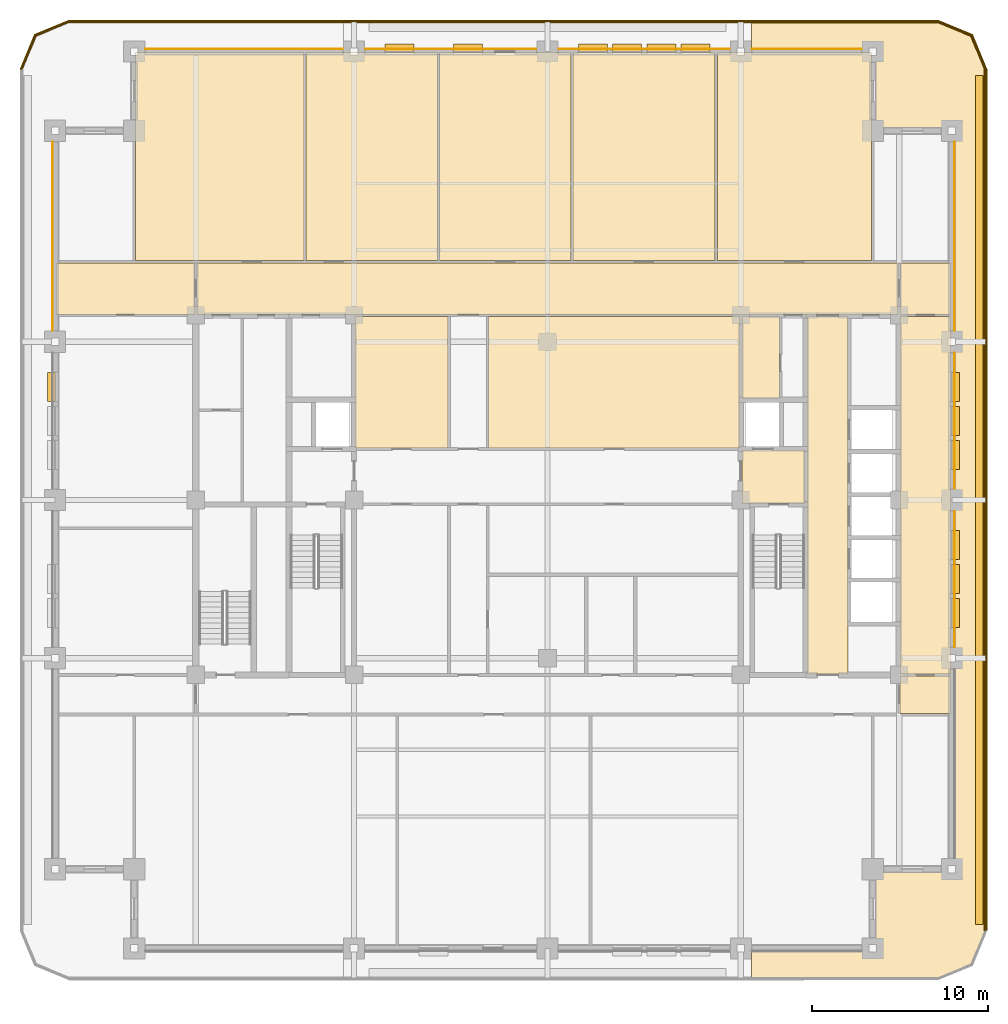
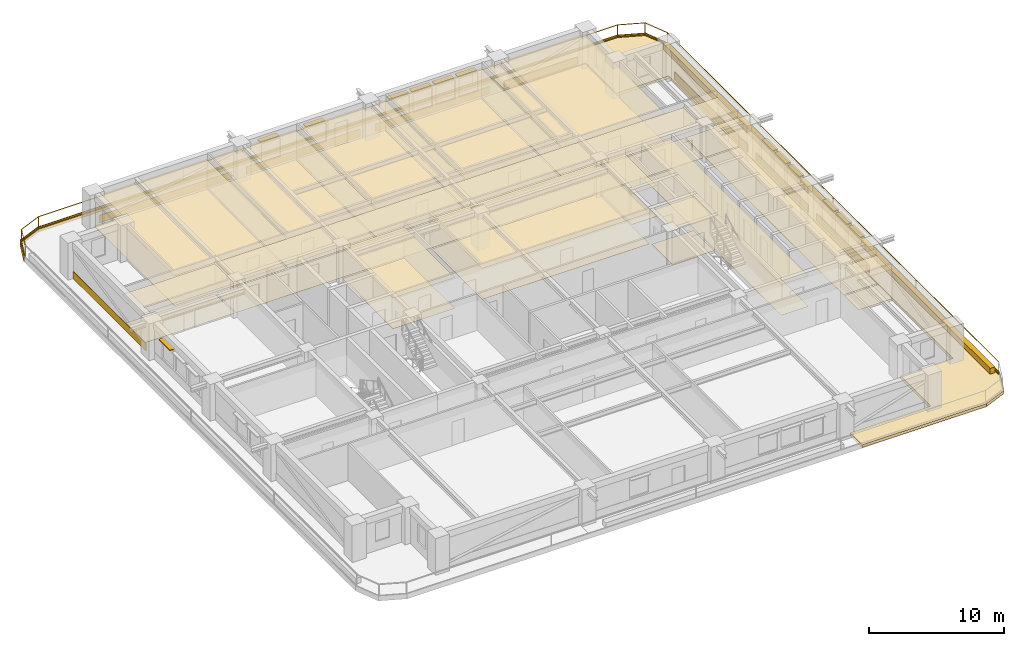
# One storey, part 15 of 15: 46 coverings, 13 shading devices, 2 railings.
"""IFC4 building model written with IfcOpenShell, lengths in metres."""

from ifc_helpers import new_model, si_unit, direction, frame, frame_2d, origin, origin_2d, place, context, subcontext, project, spatial, polyline, rectangle, outline, extrude, material, layer, layer_set, type_object, element, save


model = new_model("IFC4")

# Units and contexts
model_context = context("Model", 3, precision=1e-05, world=origin(), true_north=direction((0.0, 1.0)))
body_context = subcontext(model_context, "Body", "Model", "MODEL_VIEW")
ifc_project = project(units=[si_unit("LENGTHUNIT", "METRE"), si_unit("AREAUNIT", "SQUARE_METRE"), si_unit("VOLUMEUNIT", "CUBIC_METRE"), si_unit("PLANEANGLEUNIT", "RADIAN"), si_unit("MASSUNIT", "GRAM", prefix="KILO")], contexts=[model_context])

# Site, building, storey
site_placement = place(None, origin())
site = spatial("IfcSite", under=ifc_project, at=site_placement, CompositionType="ELEMENT")
building_placement = place(site_placement, origin())
building = spatial("IfcBuilding", under=site, at=building_placement, Name="Zulmaris Gate Convention Tower", CompositionType="ELEMENT")
storey_placement = place(building_placement, frame((0.0, 0.0, 128.48974609375)))
storey = spatial("IfcBuildingStorey", under=building, at=storey_placement, Name="L32", CompositionType="ELEMENT", Elevation=128.48974609375)

# Coverings
ifc_material_1 = material(Name="Precast concrete C40/50", Category="concrete")
ifc_layer_1 = layer(ifc_material_1, 0.0400390625, Name="Precast concrete C40/50")
ifc_layer_set_1 = layer_set([ifc_layer_1], Name="Precast concrete C40/50")
covering_type_1 = type_object("IfcCoveringType", Name="CLAD-SPANDREL-PRECAST", PredefinedType="CLADDING", material=ifc_layer_set_1)
covering_1_placement = place(storey_placement, frame((-11.6298828125, 25.64990234375, 0.0), z_axis=(0.0, 0.0, 1.0), x_axis=(-1.0, 0.0, 0.0)))
element("IfcCovering", 1, at=covering_1_placement, inside=storey, type_object=covering_type_1, Name="CLD-L32-N-0_0", PredefinedType="CLADDING", context=body_context, shape_type="SweptSolid", body=[
    extrude(rectangle(XDim=11.240234375, YDim=0.0400390625, at=frame_2d((5.6201171875, 0.0))), origin(), (0.0, 0.0, 1.0), 0.679931640625),
])
for number, where, z_axis, x_axis, name in (
    (2, (-0.6298828125, 25.64990234375, 0.0), (0.0, 0.0, 1.0), (-1.0, 0.0, 0.0), "CLD-L32-N-1_0"),
    (3, (10.3701171875, 25.64990234375, 0.0), (0.0, 0.0, 1.0), (-1.0, 0.0, 0.0), "CLD-L32-N-2_0"),
):
    element("IfcCovering", number, at=place(storey_placement, frame(where, z_axis=z_axis, x_axis=x_axis)), inside=storey, type_object=covering_type_1, Name=name, PredefinedType="CLADDING", context=body_context, shape_type="SweptSolid", body=[
        extrude(rectangle(XDim=9.740234375, YDim=0.0400390625, at=frame_2d((4.8701171875, 0.0))), origin(), (0.0, 0.0, 1.0), 0.679931640625),
    ])
covering_2_placement = place(storey_placement, frame((17.8701171875, 25.64990234375, 0.0), z_axis=(0.0, 0.0, 1.0), x_axis=(-1.0, 0.0, 0.0)))
element("IfcCovering", 4, at=covering_2_placement, inside=storey, type_object=covering_type_1, Name="CLD-L32-N-3_0", PredefinedType="CLADDING", context=body_context, shape_type="SweptSolid", body=[
    extrude(rectangle(XDim=6.240234375, YDim=0.0400390625, at=frame_2d((3.1201171875, 0.0))), origin(), (0.0, 0.0, 1.0), 0.679931640625),
])
for number, where, z_axis, x_axis, name in (
    (5, (23.14990234375, -8.3701171875, 0.0), (0.0, 0.0, 1.0), (0.0, 1.0, 0.0), "CLD-L32-E-1_0"),
    (6, (23.14990234375, 0.6298828125, 0.0), (0.0, 0.0, 1.0), (0.0, 1.0, 0.0), "CLD-L32-E-2_0"),
):
    element("IfcCovering", number, at=place(storey_placement, frame(where, z_axis=z_axis, x_axis=x_axis)), inside=storey, type_object=covering_type_1, Name=name, PredefinedType="CLADDING", context=body_context, shape_type="SweptSolid", body=[
        extrude(rectangle(XDim=7.740234375, YDim=0.0400390625, at=frame_2d((3.8701171875, 0.0))), origin(), (0.0, 0.0, 1.0), 0.679931640625),
    ])
for number, where, z_axis, x_axis, name in (
    (7, (23.14990234375, 9.6298828125, 0.0), (0.0, 0.0, 1.0), (0.0, 1.0, 0.0), "CLD-L32-E-3_0"),
    (8, (-28.14990234375, 20.3701171875, 0.0), (0.0, 0.0, 1.0), (0.0, -1.0, 0.0), "CLD-L32-W-3_0"),
):
    element("IfcCovering", number, at=place(storey_placement, frame(where, z_axis=z_axis, x_axis=x_axis)), inside=storey, type_object=covering_type_1, Name=name, PredefinedType="CLADDING", context=body_context, shape_type="SweptSolid", body=[
        extrude(rectangle(XDim=10.740234375, YDim=0.0400390625, at=frame_2d((5.3701171875, 0.0))), origin(), (0.0, 0.0, 1.0), 0.679931640625),
    ])
ifc_material_2 = material(Name="White Glazed Architectural Precast Concrete C40/50", Category="concrete")
ifc_layer_2 = layer(ifc_material_2, 0.239990234375, Name="White Glazed Architectural Precast Concrete C40/50")
ifc_layer_set_2 = layer_set([ifc_layer_2], Name="White Glazed Architectural Precast Concrete C40/50")
covering_type_2 = type_object("IfcCoveringType", Name="CLAD-TRAY-DECK", PredefinedType="CLADDING", material=ifc_layer_set_2)
covering_3_placement = place(storey_placement, frame((0.0, 0.0, -0.25)))
element("IfcCovering", 9, at=covering_3_placement, inside=storey, type_object=covering_type_2, Name="L32 East Rounded-Fascia Planter Tray Deck", PredefinedType="CLADDING", context=body_context, shape_type="SweptSolid", body=[
    extrude(outline(polyline([(22.199951171875, 27.300048828125), (24.179931640625, 26.47998046875), (25.0, 24.5), (25.0, -24.5), (24.179931640625, -26.47998046875), (22.199951171875, -27.300048828125), (11.60205078125, -27.300048828125), (11.60205078125, -25.5), (18.5, -25.5), (18.5, -21.0), (23.0, -21.0), (23.0, 21.0), (18.5, 21.0), (18.5, 25.5), (11.60205078125, 25.5), (11.60205078125, 27.300048828125), (22.199951171875, 27.300048828125)])), origin(), (0.0, 0.0, 1.0), 0.260009765625),
])
ifc_layer_3 = layer(ifc_material_2, 0.080078125, Name="White Glazed Architectural Precast Concrete C40/50")
ifc_layer_set_3 = layer_set([ifc_layer_3], Name="White Glazed Architectural Precast Concrete C40/50")
covering_type_3 = type_object("IfcCoveringType", Name="CLAD-TRAY-FASCIA", PredefinedType="CLADDING", material=ifc_layer_set_3)
covering_4_placement = place(storey_placement, frame((24.9599609375, -24.5, -0.2900390625), z_axis=(0.0, 0.0, 1.0), x_axis=(0.0, 1.0, 0.0)))
element("IfcCovering", 10, at=covering_4_placement, inside=storey, type_object=covering_type_3, Name="FSC-L32-TR-05", PredefinedType="CLADDING", context=body_context, shape_type="SweptSolid", body=[
    extrude(rectangle(XDim=49.0, YDim=0.080078125, at=frame_2d((24.5, 0.0))), origin(), (0.0, 0.0, 1.0), 0.4599609375),
])
covering_5_placement = place(storey_placement, frame((24.962890625, 24.484619140625, -0.2900390625), z_axis=(0.0, 0.0, 1.0), x_axis=(-0.382656984709, 0.923890487046, 0.0)))
element("IfcCovering", 11, at=covering_5_placement, inside=storey, type_object=covering_type_3, Name="FSC-L32-TR-06", PredefinedType="CLADDING", context=body_context, shape_type="SweptSolid", body=[
    extrude(rectangle(XDim=2.14306640625, YDim=0.080078125, at=frame_2d((1.071533203125, 0.0))), origin(), (0.0, 0.0, 1.0), 0.4599609375),
])
covering_6_placement = place(storey_placement, frame((24.16455078125, 26.44287109375, -0.2900390625), z_axis=(0.0, 0.0, 1.0), x_axis=(-0.923873803533, 0.382697263049, 0.0)))
element("IfcCovering", 12, at=covering_6_placement, inside=storey, type_object=covering_type_3, Name="FSC-L32-TR-07", PredefinedType="CLADDING", context=body_context, shape_type="SweptSolid", body=[
    extrude(rectangle(XDim=2.142822265625, YDim=0.080078125, at=frame_2d((1.0712890625, 0.0))), origin(), (0.0, 0.0, 1.0), 0.4599609375),
])
covering_7_placement = place(storey_placement, frame((22.199951171875, 27.260009765625, -0.2900390625), z_axis=(0.0, 0.0, 1.0), x_axis=(-1.0, 0.0, 0.0)))
element("IfcCovering", 13, at=covering_7_placement, inside=storey, type_object=covering_type_3, Name="FSC-L32-TR-08", PredefinedType="CLADDING", context=body_context, shape_type="SweptSolid", body=[
    extrude(rectangle(XDim=49.39990234375, YDim=0.080078125, at=frame_2d((24.699951171875, 0.0))), origin(), (0.0, 0.0, 1.0), 0.4599609375),
])
covering_8_placement = place(storey_placement, frame((-27.184814453125, 27.262939453125, -0.2900390625), z_axis=(0.0, 0.0, 1.0), x_axis=(-0.923873803533, -0.382697263049, 0.0)))
element("IfcCovering", 14, at=covering_8_placement, inside=storey, type_object=covering_type_3, Name="FSC-L32-TR-09", PredefinedType="CLADDING", context=body_context, shape_type="SweptSolid", body=[
    extrude(rectangle(XDim=2.142822265625, YDim=0.080078125, at=frame_2d((1.0712890625, 0.0))), origin(), (0.0, 0.0, 1.0), 0.4599609375),
])
covering_9_placement = place(storey_placement, frame((-29.142822265625, 26.464599609375, -0.2900390625), z_axis=(0.0, 0.0, 1.0), x_axis=(-0.382656984709, -0.923890487046, 0.0)))
element("IfcCovering", 15, at=covering_9_placement, inside=storey, type_object=covering_type_3, Name="FSC-L32-TR-10", PredefinedType="CLADDING", context=body_context, shape_type="SweptSolid", body=[
    extrude(rectangle(XDim=2.14306640625, YDim=0.080078125, at=frame_2d((1.071533203125, 0.0))), origin(), (0.0, 0.0, 1.0), 0.4599609375),
])
ifc_material_3 = material(Name="Mineral Fibre Acoustic Ceiling Tile")
ifc_layer_4 = layer(ifc_material_3, 0.02001953125, Name="Mineral Fibre Acoustic Ceiling Tile")
ifc_layer_set_4 = layer_set([ifc_layer_4], Name="Mineral Fibre Acoustic Ceiling Tile")
covering_type_4 = type_object("IfcCoveringType", Name="CLG-ACOUSTIC-600", PredefinedType="CEILING", material=ifc_layer_set_4)
covering_10_placement = place(storey_placement, frame((0.0, 0.0, 3.0400390625)))
element("IfcCovering", 16, at=covering_10_placement, inside=storey, type_object=covering_type_4, Name="CLG-L32-R08", PredefinedType="CEILING", context=body_context, shape_type="SweptSolid", body=[
    extrude(outline(polyline([(11.06005859375, -0.18994140625), (14.639892578125, -0.18994140625), (14.639892578125, 2.840087890625), (11.06005859375, 2.840087890625), (11.06005859375, -0.18994140625)])), origin(), (0.0, 0.0, 1.0), 0.02001953125),
])
covering_11_placement = place(storey_placement, frame((0.0, 0.0, 2.778076171875)))
element("IfcCovering", 17, at=covering_11_placement, inside=storey, type_object=covering_type_4, Name="CLG-L32-R12", PredefinedType="CEILING", context=body_context, shape_type="SweptSolid", body=[
    extrude(outline(polyline([(11.06005859375, 5.760009765625), (13.18994140625, 5.760009765625), (13.18994140625, 10.43994140625), (11.06005859375, 10.43994140625), (11.06005859375, 5.760009765625)])), origin(), (0.0, 0.0, 1.0), 0.02001953125),
])
covering_12_placement = place(storey_placement, frame((0.0, 0.0, 2.778076171875)))
element("IfcCovering", 18, at=covering_12_placement, inside=storey, type_object=covering_type_4, Name="CLG-L32-R24", PredefinedType="CEILING", context=body_context, shape_type="SweptSolid", body=[
    extrude(outline(polyline([(14.760009765625, -9.889892578125), (17.090087890625, -9.889892578125), (17.090087890625, 10.43994140625), (14.760009765625, 10.43994140625), (14.760009765625, -9.889892578125)])), origin(), (0.0, 0.0, 1.0), 0.02001953125),
])
covering_13_placement = place(storey_placement, frame((0.0, 0.0, 2.778076171875)))
element("IfcCovering", 19, at=covering_13_placement, inside=storey, type_object=covering_type_4, Name="CLG-L32-R28", PredefinedType="CEILING", context=body_context, shape_type="SweptSolid", body=[
    extrude(outline(polyline([(-19.93994140625, 10.56005859375), (19.93994140625, 10.56005859375), (19.93994140625, 13.489990234375), (-19.93994140625, 13.489990234375), (-19.93994140625, 10.56005859375)])), origin(), (0.0, 0.0, 1.0), 0.02001953125),
])
covering_14_placement = place(storey_placement, frame((0.0, 0.0, 2.68017578125)))
element("IfcCovering", 20, at=covering_14_placement, inside=storey, type_object=covering_type_4, Name="CLG-L32-R33", PredefinedType="CEILING", context=body_context, shape_type="SweptSolid", body=[
    extrude(outline(polyline([(-23.43994140625, 13.610107421875), (-13.860107421875, 13.610107421875), (-13.860107421875, 25.43994140625), (-23.43994140625, 25.43994140625), (-23.43994140625, 13.610107421875)])), origin(), (0.0, 0.0, 1.0), 0.019775390625),
])
covering_15_placement = place(storey_placement, frame((0.0, 0.0, 2.68017578125)))
element("IfcCovering", 21, at=covering_15_placement, inside=storey, type_object=covering_type_4, Name="CLG-L32-R34", PredefinedType="CEILING", context=body_context, shape_type="SweptSolid", body=[
    extrude(outline(polyline([(-13.739990234375, 13.610107421875), (-6.260009765625, 13.610107421875), (-6.260009765625, 25.43994140625), (-13.739990234375, 25.43994140625), (-13.739990234375, 13.610107421875)])), origin(), (0.0, 0.0, 1.0), 0.019775390625),
])
covering_16_placement = place(storey_placement, frame((0.0, 0.0, 2.68017578125)))
element("IfcCovering", 22, at=covering_16_placement, inside=storey, type_object=covering_type_4, Name="CLG-L32-R35", PredefinedType="CEILING", context=body_context, shape_type="SweptSolid", body=[
    extrude(outline(polyline([(-6.139892578125, 13.610107421875), (1.340087890625, 13.610107421875), (1.340087890625, 25.43994140625), (-6.139892578125, 25.43994140625), (-6.139892578125, 13.610107421875)])), origin(), (0.0, 0.0, 1.0), 0.019775390625),
])
covering_17_placement = place(storey_placement, frame((0.0, 0.0, 2.68017578125)))
element("IfcCovering", 23, at=covering_17_placement, inside=storey, type_object=covering_type_4, Name="CLG-L32-R36", PredefinedType="CEILING", context=body_context, shape_type="SweptSolid", body=[
    extrude(outline(polyline([(1.4599609375, 13.610107421875), (9.5400390625, 13.610107421875), (9.5400390625, 25.43994140625), (1.4599609375, 25.43994140625), (1.4599609375, 13.610107421875)])), origin(), (0.0, 0.0, 1.0), 0.019775390625),
])
covering_18_placement = place(storey_placement, frame((0.0, 0.0, 2.68017578125)))
element("IfcCovering", 24, at=covering_18_placement, inside=storey, type_object=covering_type_4, Name="CLG-L32-R37", PredefinedType="CEILING", context=body_context, shape_type="SweptSolid", body=[
    extrude(outline(polyline([(9.659912109375, 13.610107421875), (18.43994140625, 13.610107421875), (18.43994140625, 25.43994140625), (9.659912109375, 25.43994140625), (9.659912109375, 13.610107421875)])), origin(), (0.0, 0.0, 1.0), 0.019775390625),
])
covering_19_placement = place(storey_placement, frame((0.0, 0.0, 2.778076171875)))
element("IfcCovering", 25, at=covering_19_placement, inside=storey, type_object=covering_type_4, Name="CLG-L32-R41", PredefinedType="CEILING", context=body_context, shape_type="SweptSolid", body=[
    extrude(outline(polyline([(-10.93994140625, 2.9599609375), (-5.659912109375, 2.9599609375), (-5.659912109375, 10.43994140625), (-10.93994140625, 10.43994140625), (-10.93994140625, 2.9599609375)])), origin(), (0.0, 0.0, 1.0), 0.02001953125),
])
covering_20_placement = place(storey_placement, frame((0.0, 0.0, 2.778076171875)))
element("IfcCovering", 26, at=covering_20_placement, inside=storey, type_object=covering_type_4, Name="CLG-L32-R42", PredefinedType="CEILING", context=body_context, shape_type="SweptSolid", body=[
    extrude(outline(polyline([(-3.340087890625, 2.9599609375), (10.93994140625, 2.9599609375), (10.93994140625, 10.43994140625), (-3.340087890625, 10.43994140625), (-3.340087890625, 2.9599609375)])), origin(), (0.0, 0.0, 1.0), 0.02001953125),
])
covering_21_placement = place(storey_placement, frame((0.0, 0.0, 2.68017578125)))
element("IfcCovering", 27, at=covering_21_placement, inside=storey, type_object=covering_type_4, Name="CLG-L32-R48", PredefinedType="CEILING", context=body_context, shape_type="SweptSolid", body=[
    extrude(outline(polyline([(-27.93994140625, 10.56005859375), (-20.06005859375, 10.56005859375), (-20.06005859375, 13.489990234375), (-27.93994140625, 13.489990234375), (-27.93994140625, 10.56005859375)])), origin(), (0.0, 0.0, 1.0), 0.019775390625),
])
covering_22_placement = place(storey_placement, frame((0.0, 0.0, 2.68017578125)))
element("IfcCovering", 28, at=covering_22_placement, inside=storey, type_object=covering_type_4, Name="CLG-L32-R52", PredefinedType="CEILING", context=body_context, shape_type="SweptSolid", body=[
    extrude(outline(polyline([(20.06005859375, 10.56005859375), (22.93994140625, 10.56005859375), (22.93994140625, 13.489990234375), (20.06005859375, 13.489990234375), (20.06005859375, 10.56005859375)])), origin(), (0.0, 0.0, 1.0), 0.019775390625),
])
covering_23_placement = place(storey_placement, frame((0.0, 0.0, 2.68017578125)))
element("IfcCovering", 29, at=covering_23_placement, inside=storey, type_object=covering_type_4, Name="CLG-L32-R53", PredefinedType="CEILING", context=body_context, shape_type="SweptSolid", body=[
    extrude(outline(polyline([(20.06005859375, -12.139892578125), (22.93994140625, -12.139892578125), (22.93994140625, -10.010009765625), (20.06005859375, -10.010009765625), (20.06005859375, -12.139892578125)])), origin(), (0.0, 0.0, 1.0), 0.019775390625),
])
covering_24_placement = place(storey_placement, frame((0.0, 0.0, 2.68017578125)))
element("IfcCovering", 30, at=covering_24_placement, inside=storey, type_object=covering_type_4, Name="CLG-L32-R54", PredefinedType="CEILING", context=body_context, shape_type="SweptSolid", body=[
    extrude(outline(polyline([(20.06005859375, -9.889892578125), (22.93994140625, -9.889892578125), (22.93994140625, 10.43994140625), (20.06005859375, 10.43994140625), (20.06005859375, -9.889892578125)])), origin(), (0.0, 0.0, 1.0), 0.019775390625),
])
ifc_material_4 = material(Name="Woven Acoustic Wool Carpet Tile")
ifc_layer_5 = layer(ifc_material_4, 0.02001953125, Name="Woven Acoustic Wool Carpet Tile")
ifc_layer_set_5 = layer_set([ifc_layer_5], Name="Woven Acoustic Wool Carpet Tile")
covering_type_5 = type_object("IfcCoveringType", Name="FLR-CARPET-12", PredefinedType="FLOORING", material=ifc_layer_set_5)
covering_25_placement = place(storey_placement, origin())
element("IfcCovering", 31, at=covering_25_placement, inside=storey, type_object=covering_type_5, Name="FLR-L32-R08", PredefinedType="FLOORING", context=body_context, shape_type="SweptSolid", body=[
    extrude(outline(polyline([(11.06005859375, -0.18994140625), (14.639892578125, -0.18994140625), (14.639892578125, 2.840087890625), (11.06005859375, 2.840087890625), (11.06005859375, -0.18994140625)])), origin(), (0.0, 0.0, 1.0), 0.02001953125),
])
covering_26_placement = place(storey_placement, origin())
element("IfcCovering", 32, at=covering_26_placement, inside=storey, type_object=covering_type_5, Name="FLR-L32-R12", PredefinedType="FLOORING", context=body_context, shape_type="SweptSolid", body=[
    extrude(outline(polyline([(11.06005859375, 5.760009765625), (13.18994140625, 5.760009765625), (13.18994140625, 10.43994140625), (11.06005859375, 10.43994140625), (11.06005859375, 5.760009765625)])), origin(), (0.0, 0.0, 1.0), 0.02001953125),
])
covering_27_placement = place(storey_placement, origin())
element("IfcCovering", 33, at=covering_27_placement, inside=storey, type_object=covering_type_5, Name="FLR-L32-R24", PredefinedType="FLOORING", context=body_context, shape_type="SweptSolid", body=[
    extrude(outline(polyline([(14.760009765625, -9.889892578125), (17.090087890625, -9.889892578125), (17.090087890625, 10.43994140625), (14.760009765625, 10.43994140625), (14.760009765625, -9.889892578125)])), origin(), (0.0, 0.0, 1.0), 0.02001953125),
])
covering_28_placement = place(storey_placement, origin())
element("IfcCovering", 34, at=covering_28_placement, inside=storey, type_object=covering_type_5, Name="FLR-L32-R28", PredefinedType="FLOORING", context=body_context, shape_type="SweptSolid", body=[
    extrude(outline(polyline([(-19.93994140625, 10.56005859375), (19.93994140625, 10.56005859375), (19.93994140625, 13.489990234375), (-19.93994140625, 13.489990234375), (-19.93994140625, 10.56005859375)])), origin(), (0.0, 0.0, 1.0), 0.02001953125),
])
covering_29_placement = place(storey_placement, origin())
element("IfcCovering", 35, at=covering_29_placement, inside=storey, type_object=covering_type_5, Name="FLR-L32-R33", PredefinedType="FLOORING", context=body_context, shape_type="SweptSolid", body=[
    extrude(outline(polyline([(-23.43994140625, 13.610107421875), (-13.860107421875, 13.610107421875), (-13.860107421875, 25.43994140625), (-23.43994140625, 25.43994140625), (-23.43994140625, 13.610107421875)])), origin(), (0.0, 0.0, 1.0), 0.02001953125),
])
covering_30_placement = place(storey_placement, origin())
element("IfcCovering", 36, at=covering_30_placement, inside=storey, type_object=covering_type_5, Name="FLR-L32-R34", PredefinedType="FLOORING", context=body_context, shape_type="SweptSolid", body=[
    extrude(outline(polyline([(-13.739990234375, 13.610107421875), (-6.260009765625, 13.610107421875), (-6.260009765625, 25.43994140625), (-13.739990234375, 25.43994140625), (-13.739990234375, 13.610107421875)])), origin(), (0.0, 0.0, 1.0), 0.02001953125),
])
covering_31_placement = place(storey_placement, origin())
element("IfcCovering", 37, at=covering_31_placement, inside=storey, type_object=covering_type_5, Name="FLR-L32-R35", PredefinedType="FLOORING", context=body_context, shape_type="SweptSolid", body=[
    extrude(outline(polyline([(-6.139892578125, 13.610107421875), (1.340087890625, 13.610107421875), (1.340087890625, 25.43994140625), (-6.139892578125, 25.43994140625), (-6.139892578125, 13.610107421875)])), origin(), (0.0, 0.0, 1.0), 0.02001953125),
])
covering_32_placement = place(storey_placement, origin())
element("IfcCovering", 38, at=covering_32_placement, inside=storey, type_object=covering_type_5, Name="FLR-L32-R36", PredefinedType="FLOORING", context=body_context, shape_type="SweptSolid", body=[
    extrude(outline(polyline([(1.4599609375, 13.610107421875), (9.5400390625, 13.610107421875), (9.5400390625, 25.43994140625), (1.4599609375, 25.43994140625), (1.4599609375, 13.610107421875)])), origin(), (0.0, 0.0, 1.0), 0.02001953125),
])
covering_33_placement = place(storey_placement, origin())
element("IfcCovering", 39, at=covering_33_placement, inside=storey, type_object=covering_type_5, Name="FLR-L32-R37", PredefinedType="FLOORING", context=body_context, shape_type="SweptSolid", body=[
    extrude(outline(polyline([(9.659912109375, 13.610107421875), (18.43994140625, 13.610107421875), (18.43994140625, 25.43994140625), (9.659912109375, 25.43994140625), (9.659912109375, 13.610107421875)])), origin(), (0.0, 0.0, 1.0), 0.02001953125),
])
covering_34_placement = place(storey_placement, origin())
element("IfcCovering", 40, at=covering_34_placement, inside=storey, type_object=covering_type_5, Name="FLR-L32-R42", PredefinedType="FLOORING", context=body_context, shape_type="SweptSolid", body=[
    extrude(outline(polyline([(-3.340087890625, 2.9599609375), (10.93994140625, 2.9599609375), (10.93994140625, 10.43994140625), (-3.340087890625, 10.43994140625), (-3.340087890625, 2.9599609375)])), origin(), (0.0, 0.0, 1.0), 0.02001953125),
])
covering_35_placement = place(storey_placement, origin())
element("IfcCovering", 41, at=covering_35_placement, inside=storey, type_object=covering_type_5, Name="FLR-L32-R48", PredefinedType="FLOORING", context=body_context, shape_type="SweptSolid", body=[
    extrude(outline(polyline([(-27.93994140625, 10.56005859375), (-20.06005859375, 10.56005859375), (-20.06005859375, 13.489990234375), (-27.93994140625, 13.489990234375), (-27.93994140625, 10.56005859375)])), origin(), (0.0, 0.0, 1.0), 0.02001953125),
])
covering_36_placement = place(storey_placement, origin())
element("IfcCovering", 42, at=covering_36_placement, inside=storey, type_object=covering_type_5, Name="FLR-L32-R52", PredefinedType="FLOORING", context=body_context, shape_type="SweptSolid", body=[
    extrude(outline(polyline([(20.06005859375, 10.56005859375), (22.93994140625, 10.56005859375), (22.93994140625, 13.489990234375), (20.06005859375, 13.489990234375), (20.06005859375, 10.56005859375)])), origin(), (0.0, 0.0, 1.0), 0.02001953125),
])
covering_37_placement = place(storey_placement, origin())
element("IfcCovering", 43, at=covering_37_placement, inside=storey, type_object=covering_type_5, Name="FLR-L32-R53", PredefinedType="FLOORING", context=body_context, shape_type="SweptSolid", body=[
    extrude(outline(polyline([(20.06005859375, -12.139892578125), (22.93994140625, -12.139892578125), (22.93994140625, -10.010009765625), (20.06005859375, -10.010009765625), (20.06005859375, -12.139892578125)])), origin(), (0.0, 0.0, 1.0), 0.02001953125),
])
covering_38_placement = place(storey_placement, origin())
element("IfcCovering", 44, at=covering_38_placement, inside=storey, type_object=covering_type_5, Name="FLR-L32-R54", PredefinedType="FLOORING", context=body_context, shape_type="SweptSolid", body=[
    extrude(outline(polyline([(20.06005859375, -9.889892578125), (22.93994140625, -9.889892578125), (22.93994140625, 10.43994140625), (20.06005859375, 10.43994140625), (20.06005859375, -9.889892578125)])), origin(), (0.0, 0.0, 1.0), 0.02001953125),
])
ifc_material_5 = material(Name="Polished Granite Terrazzo Tile", Category="masonry")
ifc_layer_6 = layer(ifc_material_5, 0.02001953125, Name="Polished Granite Terrazzo Tile")
ifc_layer_set_6 = layer_set([ifc_layer_6], Name="Polished Granite Terrazzo Tile")
covering_type_6 = type_object("IfcCoveringType", Name="FLR-TERRAZZO-30", PredefinedType="FLOORING", material=ifc_layer_set_6)
covering_39_placement = place(storey_placement, origin())
element("IfcCovering", 45, at=covering_39_placement, inside=storey, type_object=covering_type_6, Name="FLR-L32-R41", PredefinedType="FLOORING", context=body_context, shape_type="SweptSolid", body=[
    extrude(outline(polyline([(-10.93994140625, 2.9599609375), (-5.659912109375, 2.9599609375), (-5.659912109375, 10.43994140625), (-10.93994140625, 10.43994140625), (-10.93994140625, 2.9599609375)])), origin(), (0.0, 0.0, 1.0), 0.02001953125),
])
ifc_material_6 = material(Name="Botanical Green Glazed Precast Concrete C40/50", Category="concrete")
ifc_layer_7 = layer(ifc_material_6, 0.419921875, Name="Botanical Green Glazed Precast Concrete C40/50")
ifc_layer_set_7 = layer_set([ifc_layer_7], Name="Botanical Green Glazed Precast Concrete C40/50")
covering_type_7 = type_object("IfcCoveringType", Name="PLANTER-BOX-200", PredefinedType="CLADDING", material=ifc_layer_set_7)
covering_40_placement = place(storey_placement, frame((0.0, 0.0, 0.010009765625)))
element("IfcCovering", 46, at=covering_40_placement, inside=storey, type_object=covering_type_7, Name="L32 E Full-Length Balcony Tree Planter Trough", PredefinedType="CLADDING", context=body_context, shape_type="SweptSolid", body=[
    extrude(outline(polyline([(24.340087890625, -24.14990234375), (24.760009765625, -24.14990234375), (24.760009765625, 24.14990234375), (24.340087890625, 24.14990234375), (24.340087890625, -24.14990234375)])), origin(), (0.0, 0.0, 1.0), 0.52001953125),
])

# Railings
ifc_material_7 = material(Name="Laminated Glass and Stainless Steel", Category="steel")
railing_type = type_object("IfcRailingType", Name="RL-BALC-1150", PredefinedType="BALUSTRADE", material=ifc_material_7)
railing_1_placement = place(storey_placement, frame((24.8798828125, -24.5, 0.010009765625)))
element("IfcRailing", 47, at=railing_1_placement, inside=storey, type_object=railing_type, Name="RL-L32-BALC-E", PredefinedType="BALUSTRADE", context=body_context, shape_type="SweptSolid", body=[
    extrude(rectangle(XDim=0.048095703125, YDim=0.048095703125, at=origin_2d()), frame((0.0, 0.0, 1.1259765625), z_axis=(0.0, 1.0, 0.0), x_axis=(-1.0, 0.0, 0.0)), (0.0, 0.0, 1.0), 49.0),
    extrude(rectangle(XDim=0.048095703125, YDim=0.048095703125, at=origin_2d()), frame((0.0, 0.0, 0.02392578125), z_axis=(0.0, 1.0, 0.0), x_axis=(-1.0, 0.0, 0.0)), (0.0, 0.0, 1.0), 49.0),
    extrude(rectangle(XDim=0.0419921875, YDim=0.0419921875, at=origin_2d()), origin(), (0.0, 0.0, 1.0), 1.101806640625),
    extrude(rectangle(XDim=0.0419921875, YDim=0.0419921875, at=origin_2d()), frame((0.0, 12.25, 0.0)), (0.0, 0.0, 1.0), 1.101806640625),
    extrude(rectangle(XDim=0.0419921875, YDim=0.0419921875, at=origin_2d()), frame((0.0, 24.5, 0.0)), (0.0, 0.0, 1.0), 1.101806640625),
    extrude(rectangle(XDim=0.0419921875, YDim=0.0419921875, at=origin_2d()), frame((0.0, 36.75, 0.0)), (0.0, 0.0, 1.0), 1.101806640625),
    extrude(rectangle(XDim=0.0419921875, YDim=0.0419921875, at=origin_2d()), frame((0.0, 49.0, 0.0)), (0.0, 0.0, 1.0), 1.101806640625),
])
railing_2_placement = place(storey_placement, frame((24.8798828125, 24.5, 0.010009765625)))
element("IfcRailing", 48, at=railing_2_placement, inside=storey, type_object=railing_type, Name="RL-L32-BALC-N", PredefinedType="BALUSTRADE", context=body_context, shape_type="SweptSolid", body=[
    extrude(rectangle(XDim=0.048095703125, YDim=0.048095703125, at=origin_2d()), frame((0.0, 0.0, 1.1259765625), z_axis=(-0.382670664694, 0.92388482095, 0.0), x_axis=(-0.92388482095, -0.382670664694, 0.0)), (0.0, 0.0, 1.0), 2.051025390625),
    extrude(rectangle(XDim=0.048095703125, YDim=0.048095703125, at=origin_2d()), frame((0.0, 0.0, 0.02392578125), z_axis=(-0.382670664694, 0.92388482095, 0.0), x_axis=(-0.92388482095, -0.382670664694, 0.0)), (0.0, 0.0, 1.0), 2.051025390625),
    extrude(rectangle(XDim=0.048095703125, YDim=0.048095703125, at=origin_2d()), frame((-0.784912109375, 1.89501953125, 1.1259765625), z_axis=(-0.92388482095, 0.382670664694, 0.0), x_axis=(-0.382670664694, -0.92388482095, 0.0)), (0.0, 0.0, 1.0), 2.051025390625),
    extrude(rectangle(XDim=0.048095703125, YDim=0.048095703125, at=origin_2d()), frame((-0.784912109375, 1.89501953125, 0.02392578125), z_axis=(-0.92388482095, 0.382670664694, 0.0), x_axis=(-0.382670664694, -0.92388482095, 0.0)), (0.0, 0.0, 1.0), 2.051025390625),
    extrude(rectangle(XDim=0.048095703125, YDim=0.048095703125, at=origin_2d()), frame((-2.679931640625, 2.679931640625, 1.1259765625), z_axis=(-1.0, 0.0, 0.0), x_axis=(0.0, -1.0, 0.0)), (0.0, 0.0, 1.0), 49.39990234375),
    extrude(rectangle(XDim=0.048095703125, YDim=0.048095703125, at=origin_2d()), frame((-2.679931640625, 2.679931640625, 0.02392578125), z_axis=(-1.0, 0.0, 0.0), x_axis=(0.0, -1.0, 0.0)), (0.0, 0.0, 1.0), 49.39990234375),
    extrude(rectangle(XDim=0.048095703125, YDim=0.048095703125, at=origin_2d()), frame((-52.079833984375, 2.679931640625, 1.1259765625), z_axis=(-0.92388482095, -0.382670664694, 0.0), x_axis=(0.382670664694, -0.92388482095, 0.0)), (0.0, 0.0, 1.0), 2.051025390625),
    extrude(rectangle(XDim=0.048095703125, YDim=0.048095703125, at=origin_2d()), frame((-52.079833984375, 2.679931640625, 0.02392578125), z_axis=(-0.92388482095, -0.382670664694, 0.0), x_axis=(0.382670664694, -0.92388482095, 0.0)), (0.0, 0.0, 1.0), 2.051025390625),
    extrude(rectangle(XDim=0.048095703125, YDim=0.048095703125, at=origin_2d()), frame((-53.974853515625, 1.89501953125, 1.1259765625), z_axis=(-0.382670664694, -0.92388482095, 0.0), x_axis=(0.92388482095, -0.382670664694, 0.0)), (0.0, 0.0, 1.0), 2.051025390625),
    extrude(rectangle(XDim=0.048095703125, YDim=0.048095703125, at=origin_2d()), frame((-53.974853515625, 1.89501953125, 0.02392578125), z_axis=(-0.382670664694, -0.92388482095, 0.0), x_axis=(0.92388482095, -0.382670664694, 0.0)), (0.0, 0.0, 1.0), 2.051025390625),
    extrude(rectangle(XDim=0.0419921875, YDim=0.0419921875, at=origin_2d()), origin(), (0.0, 0.0, 1.0), 1.101806640625),
    extrude(rectangle(XDim=0.0419921875, YDim=0.0419921875, at=origin_2d()), frame((-0.784912109375, 1.89501953125, 0.0)), (0.0, 0.0, 1.0), 1.101806640625),
    extrude(rectangle(XDim=0.0419921875, YDim=0.0419921875, at=origin_2d()), frame((-2.679931640625, 2.679931640625, 0.0)), (0.0, 0.0, 1.0), 1.101806640625),
    extrude(rectangle(XDim=0.0419921875, YDim=0.0419921875, at=origin_2d()), frame((-15.02978515625, 2.679931640625, 0.0)), (0.0, 0.0, 1.0), 1.101806640625),
    extrude(rectangle(XDim=0.0419921875, YDim=0.0419921875, at=origin_2d()), frame((-27.3798828125, 2.679931640625, 0.0)), (0.0, 0.0, 1.0), 1.101806640625),
    extrude(rectangle(XDim=0.0419921875, YDim=0.0419921875, at=origin_2d()), frame((-39.72998046875, 2.679931640625, 0.0)), (0.0, 0.0, 1.0), 1.101806640625),
    extrude(rectangle(XDim=0.0419921875, YDim=0.0419921875, at=origin_2d()), frame((-52.079833984375, 2.679931640625, 0.0)), (0.0, 0.0, 1.0), 1.101806640625),
    extrude(rectangle(XDim=0.0419921875, YDim=0.0419921875, at=origin_2d()), frame((-53.974853515625, 1.89501953125, 0.0)), (0.0, 0.0, 1.0), 1.101806640625),
    extrude(rectangle(XDim=0.0419921875, YDim=0.0419921875, at=origin_2d()), frame((-54.759765625, 0.0, 0.0)), (0.0, 0.0, 1.0), 1.101806640625),
])

# Shading devices
ifc_material_8 = material(Name="Glazed Ceramic Terracotta", Category="masonry")
ifc_layer_8 = layer(ifc_material_8, 0.070068359375, Name="Glazed Ceramic Terracotta")
ifc_layer_set_8 = layer_set([ifc_layer_8], Name="Glazed Ceramic Terracotta")
shading_device_type = type_object("IfcShadingDeviceType", Name="SHD-SUNSHADE-TC", PredefinedType="AWNING", material=ifc_layer_set_8)
for number, where, z_axis, x_axis, name in (
    (49, (-3.700927734375, 25.719970703125, 2.530029296875), (0.0, 0.0, 1.0), (-1.0, 0.0, 0.0), "SHD-EW-L32-N-1_0-2"),
    (50, (-7.596923828125, 25.719970703125, 2.530029296875), (0.0, 0.0, 1.0), (-1.0, 0.0, 0.0), "SHD-EW-L32-N-1_0-4"),
    (51, (9.2470703125, 25.719970703125, 2.530029296875), (0.0, 0.0, 1.0), (-1.0, 0.0, 0.0), "SHD-EW-L32-N-2_0-1"),
    (52, (7.299072265625, 25.719970703125, 2.530029296875), (0.0, 0.0, 1.0), (-1.0, 0.0, 0.0), "SHD-EW-L32-N-2_0-2"),
    (53, (5.35107421875, 25.719970703125, 2.530029296875), (0.0, 0.0, 1.0), (-1.0, 0.0, 0.0), "SHD-EW-L32-N-2_0-3"),
    (54, (3.403076171875, 25.719970703125, 2.530029296875), (0.0, 0.0, 1.0), (-1.0, 0.0, 0.0), "SHD-EW-L32-N-2_0-4"),
):
    element("IfcShadingDevice", number, at=place(storey_placement, frame(where, z_axis=z_axis, x_axis=x_axis)), inside=storey, type_object=shading_device_type, Name=name, PredefinedType="AWNING", context=body_context, shape_type="SweptSolid", body=[
        extrude(rectangle(XDim=1.650146484375, YDim=0.43994140625, at=frame_2d((0.8251953125, 0.0))), origin(), (0.0, 0.0, 1.0), 0.06982421875),
    ])
for number, where, z_axis, x_axis, name in (
    (55, (23.219970703125, -7.260009765625, 2.530029296875), (0.0, 0.0, 1.0), (0.0, 1.0, 0.0), "SHD-EW-L32-E-1_0-1"),
    (56, (23.219970703125, -5.324951171875, 2.530029296875), (0.0, 0.0, 1.0), (0.0, 1.0, 0.0), "SHD-EW-L32-E-1_0-2"),
    (57, (23.219970703125, -3.389892578125, 2.530029296875), (0.0, 0.0, 1.0), (0.0, 1.0, 0.0), "SHD-EW-L32-E-1_0-3"),
    (58, (23.219970703125, 1.739990234375, 2.530029296875), (0.0, 0.0, 1.0), (0.0, 1.0, 0.0), "SHD-EW-L32-E-2_0-1"),
    (59, (23.219970703125, 3.675048828125, 2.530029296875), (0.0, 0.0, 1.0), (0.0, 1.0, 0.0), "SHD-EW-L32-E-2_0-2"),
    (60, (23.219970703125, 5.610107421875, 2.530029296875), (0.0, 0.0, 1.0), (0.0, 1.0, 0.0), "SHD-EW-L32-E-2_0-3"),
    (61, (-28.219970703125, 7.260009765625, 2.530029296875), (0.0, 0.0, 1.0), (0.0, -1.0, 0.0), "SHD-EW-L32-W-2_0-1"),
):
    element("IfcShadingDevice", number, at=place(storey_placement, frame(where, z_axis=z_axis, x_axis=x_axis)), inside=storey, type_object=shading_device_type, Name=name, PredefinedType="AWNING", context=body_context, shape_type="SweptSolid", body=[
        extrude(rectangle(XDim=1.64990234375, YDim=0.43994140625, at=frame_2d((0.824951171875, 0.0))), origin(), (0.0, 0.0, 1.0), 0.06982421875),
    ])

save(model, "model.ifc")
